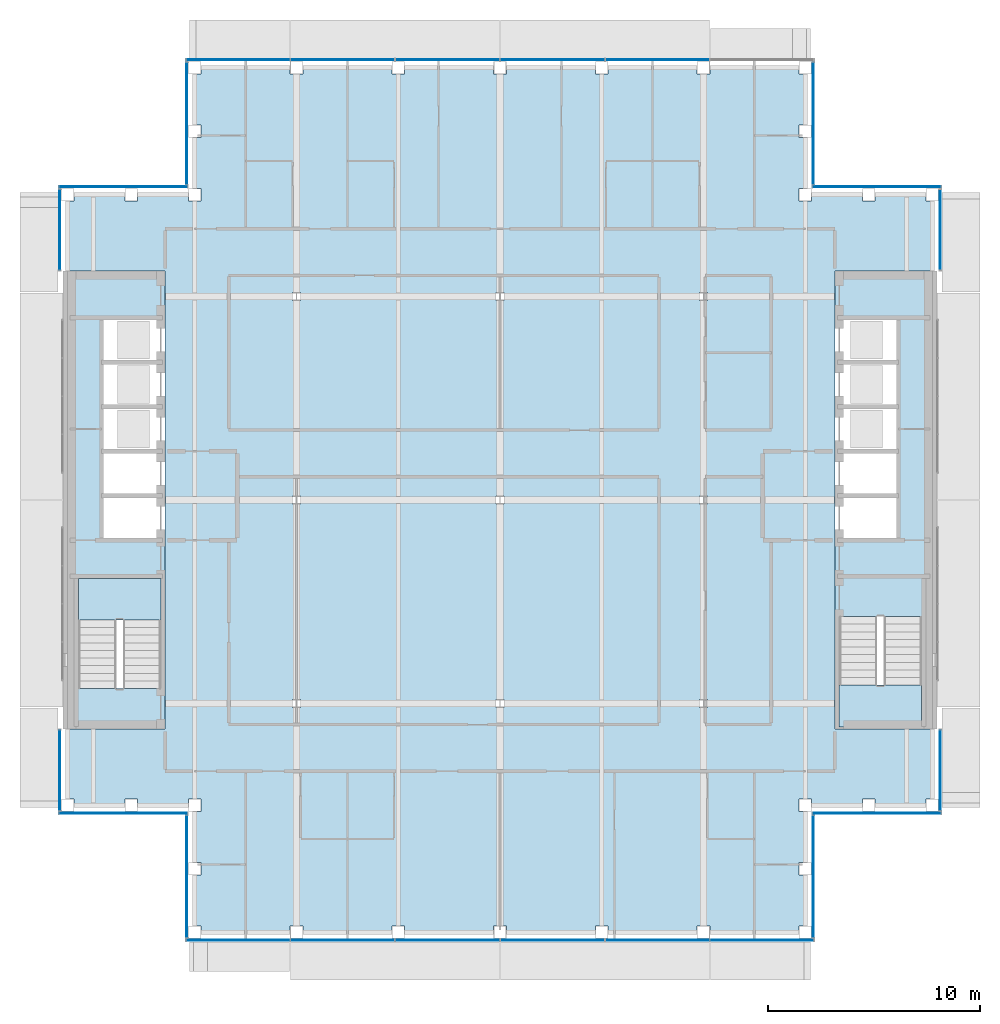
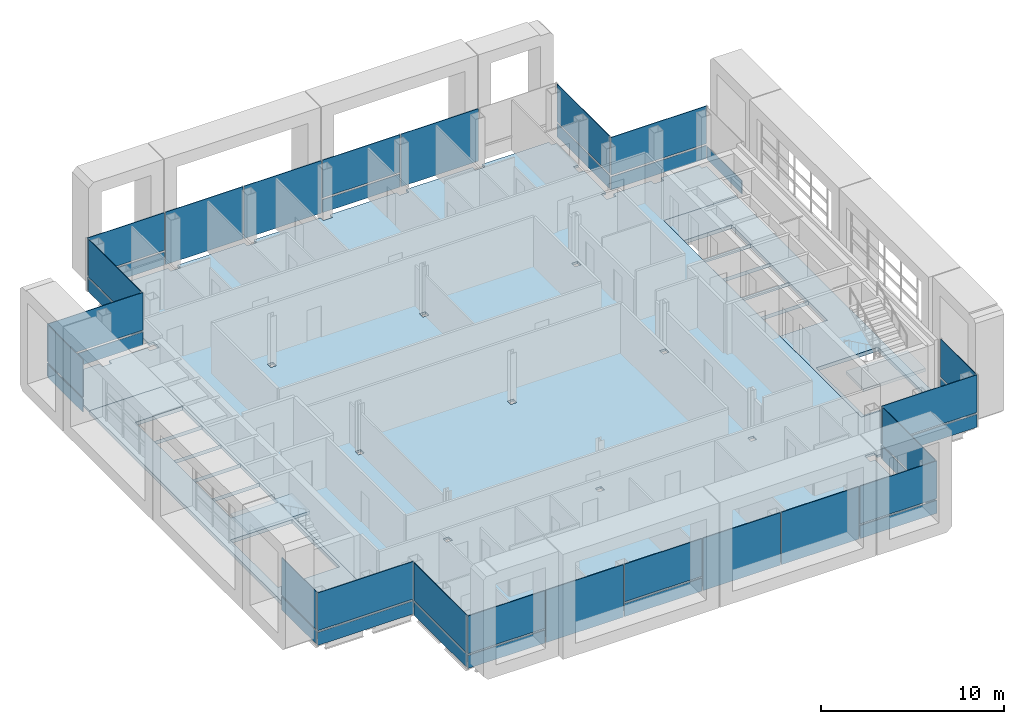
# One storey, part 8 of 21: 39 plates, 5 slabs, 16 elements without a shape of their own.
"""IFC4 building model written with IfcOpenShell, lengths in metres."""

from ifc_helpers import new_model, si_unit, direction, frame, origin, origin_2d, place, context, subcontext, project, spatial, polyline, rectangle, outline, extrude, material, layer, layer_set, type_object, element, aggregate, save


model = new_model("IFC4")

# Units and contexts
model_context = context("Model", 3, precision=1e-05, world=origin(), true_north=direction((0.0, 1.0)))
body_context = subcontext(model_context, "Body", "Model", "MODEL_VIEW")
ifc_project = project(units=[si_unit("LENGTHUNIT", "METRE"), si_unit("AREAUNIT", "SQUARE_METRE"), si_unit("VOLUMEUNIT", "CUBIC_METRE"), si_unit("PLANEANGLEUNIT", "RADIAN"), si_unit("MASSUNIT", "GRAM", prefix="KILO")], contexts=[model_context])

# Site, building, storey
site_placement = place(None, origin())
site = spatial("IfcSite", under=ifc_project, at=site_placement, CompositionType="ELEMENT")
building_placement = place(site_placement, origin())
building = spatial("IfcBuilding", under=site, at=building_placement, Name="Cobrizo Arcos Hotel Tower", CompositionType="ELEMENT")
storey_placement = place(building_placement, frame((0.0, 0.0, 248.0)))
storey = spatial("IfcBuildingStorey", under=building, at=storey_placement, Name="L65", CompositionType="ELEMENT", Elevation=248.0)

# Curtain wall, plates
ifc_material_1 = material(Name="Aluminium 6063-T6 anodised bronze", Category="aluminium")
curtain_wall_type = type_object("IfcCurtainWallType", Name="CW-A guest facade", PredefinedType="NOTDEFINED", material=ifc_material_1)
curtain_wall_1_placement = place(storey_placement, origin())
curtain_wall_1 = element("IfcCurtainWall", 1, at=curtain_wall_1_placement, inside=storey, type_object=curtain_wall_type, Name="CW-A L65 S face", PredefinedType="NOTDEFINED")
ifc_material_2 = material(Name="Glass clear laminated low-e", Category="glass")
ifc_layer_1 = layer(ifc_material_2, 0.0400390625)
ifc_layer_set_1 = layer_set([ifc_layer_1], Name="CW-A glass panel")
plate_type_1 = type_object("IfcPlateType", Name="CW-A glass panel", PredefinedType="CURTAIN_PANEL", material=ifc_layer_set_1)
plate_1_placement = place(storey_placement, frame((-12.360107421875, -20.77490234375, 0.990234375), z_axis=(0.0, 0.0, 1.0), x_axis=(1.0, 0.0, 0.0)))
plate_1 = element("IfcPlate", 2, at=plate_1_placement, type_object=plate_type_1, Name="CW-A glass panel 2060", PredefinedType="CURTAIN_PANEL", context=body_context, shape_type="SweptSolid", body=[
    extrude(rectangle(XDim=4.860107421875, YDim=0.0400390625, at=origin_2d()), origin(), (0.0, 0.0, 1.0), 2.510009765625),
])
plate_2_placement = place(storey_placement, frame((-2.47509765625, -20.77490234375, 0.990234375), z_axis=(0.0, 0.0, 1.0), x_axis=(1.0, 0.0, 0.0)))
plate_2 = element("IfcPlate", 3, at=plate_2_placement, type_object=plate_type_1, Name="CW-A glass panel 2062", PredefinedType="CURTAIN_PANEL", context=body_context, shape_type="SweptSolid", body=[
    extrude(rectangle(XDim=4.889892578125, YDim=0.0400390625, at=origin_2d()), origin(), (0.0, 0.0, 1.0), 2.510009765625),
])
plate_3_placement = place(storey_placement, frame((12.360107421875, -20.77490234375, 0.990234375), z_axis=(0.0, 0.0, 1.0), x_axis=(1.0, 0.0, 0.0)))
plate_3 = element("IfcPlate", 4, at=plate_3_placement, type_object=plate_type_1, Name="CW-A glass panel 2065", PredefinedType="CURTAIN_PANEL", context=body_context, shape_type="SweptSolid", body=[
    extrude(rectangle(XDim=4.860107421875, YDim=0.0400390625, at=origin_2d()), origin(), (0.0, 0.0, 1.0), 2.510009765625),
])

# Curtain wall, plate
curtain_wall_2_placement = place(storey_placement, origin())
curtain_wall_2 = element("IfcCurtainWall", 5, at=curtain_wall_2_placement, inside=storey, type_object=curtain_wall_type, Name="CW-A L65 E face", PredefinedType="NOTDEFINED")
plate_4_placement = place(storey_placement, frame((14.77490234375, -17.77490234375, 0.990234375), z_axis=(0.0, 0.0, 1.0), x_axis=(0.0, 1.0, 0.0)))
plate_4 = element("IfcPlate", 6, at=plate_4_placement, type_object=plate_type_1, Name="CW-A glass panel 2066", PredefinedType="CURTAIN_PANEL", context=body_context, shape_type="SweptSolid", body=[
    extrude(rectangle(XDim=5.72998046875, YDim=0.0400390625, at=origin_2d()), origin(), (0.0, 0.0, 1.0), 2.510009765625),
])

curtain_wall_3_placement = place(storey_placement, origin())
curtain_wall_3 = element("IfcCurtainWall", 7, at=curtain_wall_3_placement, inside=storey, type_object=curtain_wall_type, Name="CW-A L65 S face", PredefinedType="NOTDEFINED")
plate_5_placement = place(storey_placement, frame((17.77490234375, -14.77490234375, 0.990234375), z_axis=(0.0, 0.0, 1.0), x_axis=(1.0, 0.0, 0.0)))
plate_5 = element("IfcPlate", 8, at=plate_5_placement, type_object=plate_type_1, Name="CW-A glass panel 2067", PredefinedType="CURTAIN_PANEL", context=body_context, shape_type="SweptSolid", body=[
    extrude(rectangle(XDim=6.030029296875, YDim=0.0400390625, at=origin_2d()), origin(), (0.0, 0.0, 1.0), 2.510009765625),
])

curtain_wall_4_placement = place(storey_placement, origin())
curtain_wall_4 = element("IfcCurtainWall", 9, at=curtain_wall_4_placement, inside=storey, type_object=curtain_wall_type, Name="CW-A L65 E face", PredefinedType="NOTDEFINED")
plate_6_placement = place(storey_placement, frame((20.77490234375, -12.75, 0.990234375), z_axis=(0.0, 0.0, 1.0), x_axis=(0.0, 1.0, 0.0)))
plate_6 = element("IfcPlate", 10, at=plate_6_placement, type_object=plate_type_1, Name="CW-A glass panel 2068", PredefinedType="CURTAIN_PANEL", context=body_context, shape_type="SweptSolid", body=[
    extrude(rectangle(XDim=3.780029296875, YDim=0.0400390625, at=origin_2d()), origin(), (0.0, 0.0, 1.0), 2.510009765625),
])

curtain_wall_5_placement = place(storey_placement, origin())
curtain_wall_5 = element("IfcCurtainWall", 11, at=curtain_wall_5_placement, inside=storey, type_object=curtain_wall_type, Name="CW-A L65 N face", PredefinedType="NOTDEFINED")
plate_7_placement = place(storey_placement, frame((17.77490234375, 14.77490234375, 0.990234375), z_axis=(0.0, 0.0, 1.0), x_axis=(-1.0, 0.0, 0.0)))
plate_7 = element("IfcPlate", 12, at=plate_7_placement, type_object=plate_type_1, Name="CW-A glass panel 2070", PredefinedType="CURTAIN_PANEL", context=body_context, shape_type="SweptSolid", body=[
    extrude(rectangle(XDim=6.030029296875, YDim=0.0400390625, at=origin_2d()), origin(), (0.0, 0.0, 1.0), 2.510009765625),
])

curtain_wall_6_placement = place(storey_placement, origin())
curtain_wall_6 = element("IfcCurtainWall", 13, at=curtain_wall_6_placement, inside=storey, type_object=curtain_wall_type, Name="CW-A L65 E face", PredefinedType="NOTDEFINED")
plate_8_placement = place(storey_placement, frame((14.77490234375, 17.77490234375, 0.990234375), z_axis=(0.0, 0.0, 1.0), x_axis=(0.0, 1.0, 0.0)))
plate_8 = element("IfcPlate", 14, at=plate_8_placement, type_object=plate_type_1, Name="CW-A glass panel 2071", PredefinedType="CURTAIN_PANEL", context=body_context, shape_type="SweptSolid", body=[
    extrude(rectangle(XDim=5.72998046875, YDim=0.0400390625, at=origin_2d()), origin(), (0.0, 0.0, 1.0), 2.510009765625),
])

# Curtain wall, plates
curtain_wall_7_placement = place(storey_placement, origin())
curtain_wall_7 = element("IfcCurtainWall", 15, at=curtain_wall_7_placement, inside=storey, type_object=curtain_wall_type, Name="CW-A L65 N face", PredefinedType="NOTDEFINED")
plate_9_placement = place(storey_placement, frame((2.47509765625, 20.77490234375, 0.990234375), z_axis=(0.0, 0.0, 1.0), x_axis=(-1.0, 0.0, 0.0)))
plate_9 = element("IfcPlate", 16, at=plate_9_placement, type_object=plate_type_1, Name="CW-A glass panel 2074", PredefinedType="CURTAIN_PANEL", context=body_context, shape_type="SweptSolid", body=[
    extrude(rectangle(XDim=4.889892578125, YDim=0.0400390625, at=origin_2d()), origin(), (0.0, 0.0, 1.0), 2.510009765625),
])
plate_10_placement = place(storey_placement, frame((-12.360107421875, 20.77490234375, 0.990234375), z_axis=(0.0, 0.0, 1.0), x_axis=(-1.0, 0.0, 0.0)))
plate_10 = element("IfcPlate", 17, at=plate_10_placement, type_object=plate_type_1, Name="CW-A glass panel 2077", PredefinedType="CURTAIN_PANEL", context=body_context, shape_type="SweptSolid", body=[
    extrude(rectangle(XDim=4.860107421875, YDim=0.0400390625, at=origin_2d()), origin(), (0.0, 0.0, 1.0), 2.510009765625),
])

# Curtain wall, plate
curtain_wall_8_placement = place(storey_placement, origin())
curtain_wall_8 = element("IfcCurtainWall", 18, at=curtain_wall_8_placement, inside=storey, type_object=curtain_wall_type, Name="CW-A L65 W face", PredefinedType="NOTDEFINED")
plate_11_placement = place(storey_placement, frame((-14.77490234375, 17.77490234375, 0.990234375), z_axis=(0.0, 0.0, 1.0), x_axis=(0.0, -1.0, 0.0)))
plate_11 = element("IfcPlate", 19, at=plate_11_placement, type_object=plate_type_1, Name="CW-A glass panel 2078", PredefinedType="CURTAIN_PANEL", context=body_context, shape_type="SweptSolid", body=[
    extrude(rectangle(XDim=5.72998046875, YDim=0.0400390625, at=origin_2d()), origin(), (0.0, 0.0, 1.0), 2.510009765625),
])

curtain_wall_9_placement = place(storey_placement, origin())
curtain_wall_9 = element("IfcCurtainWall", 20, at=curtain_wall_9_placement, inside=storey, type_object=curtain_wall_type, Name="CW-A L65 N face", PredefinedType="NOTDEFINED")
plate_12_placement = place(storey_placement, frame((-17.77490234375, 14.77490234375, 0.990234375), z_axis=(0.0, 0.0, 1.0), x_axis=(-1.0, 0.0, 0.0)))
plate_12 = element("IfcPlate", 21, at=plate_12_placement, type_object=plate_type_1, Name="CW-A glass panel 2079", PredefinedType="CURTAIN_PANEL", context=body_context, shape_type="SweptSolid", body=[
    extrude(rectangle(XDim=6.030029296875, YDim=0.0400390625, at=origin_2d()), origin(), (0.0, 0.0, 1.0), 2.510009765625),
])

curtain_wall_10_placement = place(storey_placement, origin())
curtain_wall_10 = element("IfcCurtainWall", 22, at=curtain_wall_10_placement, inside=storey, type_object=curtain_wall_type, Name="CW-A L65 W face", PredefinedType="NOTDEFINED")
plate_13_placement = place(storey_placement, frame((-20.77490234375, 12.75, 0.990234375), z_axis=(0.0, 0.0, 1.0), x_axis=(0.0, -1.0, 0.0)))
plate_13 = element("IfcPlate", 23, at=plate_13_placement, type_object=plate_type_1, Name="CW-A glass panel 2080", PredefinedType="CURTAIN_PANEL", context=body_context, shape_type="SweptSolid", body=[
    extrude(rectangle(XDim=3.780029296875, YDim=0.0400390625, at=origin_2d()), origin(), (0.0, 0.0, 1.0), 2.510009765625),
])

curtain_wall_11_placement = place(storey_placement, origin())
curtain_wall_11 = element("IfcCurtainWall", 24, at=curtain_wall_11_placement, inside=storey, type_object=curtain_wall_type, Name="CW-A L65 W face", PredefinedType="NOTDEFINED")
plate_14_placement = place(storey_placement, frame((-20.77490234375, -12.75, 0.990234375), z_axis=(0.0, 0.0, 1.0), x_axis=(0.0, -1.0, 0.0)))
plate_14 = element("IfcPlate", 25, at=plate_14_placement, type_object=plate_type_1, Name="CW-A glass panel 2081", PredefinedType="CURTAIN_PANEL", context=body_context, shape_type="SweptSolid", body=[
    extrude(rectangle(XDim=3.780029296875, YDim=0.0400390625, at=origin_2d()), origin(), (0.0, 0.0, 1.0), 2.510009765625),
])

curtain_wall_12_placement = place(storey_placement, origin())
curtain_wall_12 = element("IfcCurtainWall", 26, at=curtain_wall_12_placement, inside=storey, type_object=curtain_wall_type, Name="CW-A L65 S face", PredefinedType="NOTDEFINED")
plate_15_placement = place(storey_placement, frame((-17.77490234375, -14.77490234375, 0.990234375), z_axis=(0.0, 0.0, 1.0), x_axis=(1.0, 0.0, 0.0)))
plate_15 = element("IfcPlate", 27, at=plate_15_placement, type_object=plate_type_1, Name="CW-A glass panel 2082", PredefinedType="CURTAIN_PANEL", context=body_context, shape_type="SweptSolid", body=[
    extrude(rectangle(XDim=6.030029296875, YDim=0.0400390625, at=origin_2d()), origin(), (0.0, 0.0, 1.0), 2.510009765625),
])

curtain_wall_13_placement = place(storey_placement, origin())
curtain_wall_13 = element("IfcCurtainWall", 28, at=curtain_wall_13_placement, inside=storey, type_object=curtain_wall_type, Name="CW-A L65 W face", PredefinedType="NOTDEFINED")
plate_16_placement = place(storey_placement, frame((-14.77490234375, -17.77490234375, 0.990234375), z_axis=(0.0, 0.0, 1.0), x_axis=(0.0, -1.0, 0.0)))
plate_16 = element("IfcPlate", 29, at=plate_16_placement, type_object=plate_type_1, Name="CW-A glass panel 2083", PredefinedType="CURTAIN_PANEL", context=body_context, shape_type="SweptSolid", body=[
    extrude(rectangle(XDim=5.72998046875, YDim=0.0400390625, at=origin_2d()), origin(), (0.0, 0.0, 1.0), 2.510009765625),
])

# Plate
ifc_material_3 = material(Name="Aluminium composite panel pale metal", Category="aluminium")
ifc_layer_2 = layer(ifc_material_3, 0.0400390625)
ifc_layer_set_2 = layer_set([ifc_layer_2], Name="CW-A spandrel panel")
plate_type_2 = type_object("IfcPlateType", Name="CW-A spandrel panel", PredefinedType="CURTAIN_PANEL", material=ifc_layer_set_2)
plate_17_placement = place(storey_placement, frame((-12.360107421875, -20.77490234375, 0.0), z_axis=(0.0, 0.0, 1.0), x_axis=(1.0, 0.0, 0.0)))
plate_17 = element("IfcPlate", 30, at=plate_17_placement, type_object=plate_type_2, Name="CW-A spandrel panel 2060", PredefinedType="CURTAIN_PANEL", context=body_context, shape_type="SweptSolid", body=[
    extrude(rectangle(XDim=4.860107421875, YDim=0.0400390625, at=origin_2d()), origin(), (0.0, 0.0, 1.0), 0.8701171875),
])

plate_18_placement = place(storey_placement, frame((-7.425048828125, -20.77490234375, 0.0), z_axis=(0.0, 0.0, 1.0), x_axis=(1.0, 0.0, 0.0)))
plate_18 = element("IfcPlate", 31, at=plate_18_placement, type_object=plate_type_2, Name="CW-A spandrel panel 2061", PredefinedType="CURTAIN_PANEL", context=body_context, shape_type="SweptSolid", body=[
    extrude(rectangle(XDim=4.889892578125, YDim=0.0400390625, at=origin_2d()), origin(), (0.0, 0.0, 1.0), 3.5),
])

plate_19_placement = place(storey_placement, frame((-2.47509765625, -20.77490234375, 0.0), z_axis=(0.0, 0.0, 1.0), x_axis=(1.0, 0.0, 0.0)))
plate_19 = element("IfcPlate", 32, at=plate_19_placement, type_object=plate_type_2, Name="CW-A spandrel panel 2062", PredefinedType="CURTAIN_PANEL", context=body_context, shape_type="SweptSolid", body=[
    extrude(rectangle(XDim=4.889892578125, YDim=0.0400390625, at=origin_2d()), origin(), (0.0, 0.0, 1.0), 0.8701171875),
])

plate_20_placement = place(storey_placement, frame((2.47509765625, -20.77490234375, 0.0), z_axis=(0.0, 0.0, 1.0), x_axis=(1.0, 0.0, 0.0)))
plate_20 = element("IfcPlate", 33, at=plate_20_placement, type_object=plate_type_2, Name="CW-A spandrel panel 2063", PredefinedType="CURTAIN_PANEL", context=body_context, shape_type="SweptSolid", body=[
    extrude(rectangle(XDim=4.889892578125, YDim=0.0400390625, at=origin_2d()), origin(), (0.0, 0.0, 1.0), 3.5),
])

plate_21_placement = place(storey_placement, frame((7.425048828125, -20.77490234375, 0.0), z_axis=(0.0, 0.0, 1.0), x_axis=(1.0, 0.0, 0.0)))
plate_21 = element("IfcPlate", 34, at=plate_21_placement, type_object=plate_type_2, Name="CW-A spandrel panel 2064", PredefinedType="CURTAIN_PANEL", context=body_context, shape_type="SweptSolid", body=[
    extrude(rectangle(XDim=4.889892578125, YDim=0.0400390625, at=origin_2d()), origin(), (0.0, 0.0, 1.0), 3.5),
])

plate_22_placement = place(storey_placement, frame((12.360107421875, -20.77490234375, 0.0), z_axis=(0.0, 0.0, 1.0), x_axis=(1.0, 0.0, 0.0)))
plate_22 = element("IfcPlate", 35, at=plate_22_placement, type_object=plate_type_2, Name="CW-A spandrel panel 2065", PredefinedType="CURTAIN_PANEL", context=body_context, shape_type="SweptSolid", body=[
    extrude(rectangle(XDim=4.860107421875, YDim=0.0400390625, at=origin_2d()), origin(), (0.0, 0.0, 1.0), 0.8701171875),
])

aggregate(curtain_wall_1, [plate_17, plate_1, plate_18, plate_19, plate_2, plate_20, plate_21, plate_22, plate_3])

plate_23_placement = place(storey_placement, frame((14.77490234375, -17.77490234375, 0.0), z_axis=(0.0, 0.0, 1.0), x_axis=(0.0, 1.0, 0.0)))
plate_23 = element("IfcPlate", 36, at=plate_23_placement, type_object=plate_type_2, Name="CW-A spandrel panel 2066", PredefinedType="CURTAIN_PANEL", context=body_context, shape_type="SweptSolid", body=[
    extrude(rectangle(XDim=5.72998046875, YDim=0.0400390625, at=origin_2d()), origin(), (0.0, 0.0, 1.0), 0.8701171875),
])

aggregate(curtain_wall_2, [plate_23, plate_4])

plate_24_placement = place(storey_placement, frame((17.77490234375, -14.77490234375, 0.0), z_axis=(0.0, 0.0, 1.0), x_axis=(1.0, 0.0, 0.0)))
plate_24 = element("IfcPlate", 37, at=plate_24_placement, type_object=plate_type_2, Name="CW-A spandrel panel 2067", PredefinedType="CURTAIN_PANEL", context=body_context, shape_type="SweptSolid", body=[
    extrude(rectangle(XDim=6.030029296875, YDim=0.0400390625, at=origin_2d()), origin(), (0.0, 0.0, 1.0), 0.8701171875),
])

aggregate(curtain_wall_3, [plate_24, plate_5])

plate_25_placement = place(storey_placement, frame((20.77490234375, -12.75, 0.0), z_axis=(0.0, 0.0, 1.0), x_axis=(0.0, 1.0, 0.0)))
plate_25 = element("IfcPlate", 38, at=plate_25_placement, type_object=plate_type_2, Name="CW-A spandrel panel 2068", PredefinedType="CURTAIN_PANEL", context=body_context, shape_type="SweptSolid", body=[
    extrude(rectangle(XDim=3.780029296875, YDim=0.0400390625, at=origin_2d()), origin(), (0.0, 0.0, 1.0), 0.8701171875),
])

aggregate(curtain_wall_4, [plate_25, plate_6])

# Curtain wall, plate
curtain_wall_14_placement = place(storey_placement, origin())
curtain_wall_14 = element("IfcCurtainWall", 39, at=curtain_wall_14_placement, inside=storey, type_object=curtain_wall_type, Name="CW-A L65 E face", PredefinedType="NOTDEFINED")
plate_26_placement = place(storey_placement, frame((20.77490234375, 12.75, 0.0), z_axis=(0.0, 0.0, 1.0), x_axis=(0.0, 1.0, 0.0)))
plate_26 = element("IfcPlate", 40, at=plate_26_placement, type_object=plate_type_2, Name="CW-A spandrel panel 2069", PredefinedType="CURTAIN_PANEL", context=body_context, shape_type="SweptSolid", body=[
    extrude(rectangle(XDim=3.780029296875, YDim=0.0400390625, at=origin_2d()), origin(), (0.0, 0.0, 1.0), 0.8701171875),
])
aggregate(curtain_wall_14, [plate_26])

# Plate
plate_27_placement = place(storey_placement, frame((17.77490234375, 14.77490234375, 0.0), z_axis=(0.0, 0.0, 1.0), x_axis=(-1.0, 0.0, 0.0)))
plate_27 = element("IfcPlate", 41, at=plate_27_placement, type_object=plate_type_2, Name="CW-A spandrel panel 2070", PredefinedType="CURTAIN_PANEL", context=body_context, shape_type="SweptSolid", body=[
    extrude(rectangle(XDim=6.030029296875, YDim=0.0400390625, at=origin_2d()), origin(), (0.0, 0.0, 1.0), 0.8701171875),
])

aggregate(curtain_wall_5, [plate_27, plate_7])

plate_28_placement = place(storey_placement, frame((14.77490234375, 17.77490234375, 0.0), z_axis=(0.0, 0.0, 1.0), x_axis=(0.0, 1.0, 0.0)))
plate_28 = element("IfcPlate", 42, at=plate_28_placement, type_object=plate_type_2, Name="CW-A spandrel panel 2071", PredefinedType="CURTAIN_PANEL", context=body_context, shape_type="SweptSolid", body=[
    extrude(rectangle(XDim=5.72998046875, YDim=0.0400390625, at=origin_2d()), origin(), (0.0, 0.0, 1.0), 0.8701171875),
])

aggregate(curtain_wall_6, [plate_28, plate_8])

plate_29_placement = place(storey_placement, frame((7.425048828125, 20.77490234375, 0.0), z_axis=(0.0, 0.0, 1.0), x_axis=(-1.0, 0.0, 0.0)))
plate_29 = element("IfcPlate", 43, at=plate_29_placement, type_object=plate_type_2, Name="CW-A spandrel panel 2073", PredefinedType="CURTAIN_PANEL", context=body_context, shape_type="SweptSolid", body=[
    extrude(rectangle(XDim=4.889892578125, YDim=0.0400390625, at=origin_2d()), origin(), (0.0, 0.0, 1.0), 3.5),
])

plate_30_placement = place(storey_placement, frame((2.47509765625, 20.77490234375, 0.0), z_axis=(0.0, 0.0, 1.0), x_axis=(-1.0, 0.0, 0.0)))
plate_30 = element("IfcPlate", 44, at=plate_30_placement, type_object=plate_type_2, Name="CW-A spandrel panel 2074", PredefinedType="CURTAIN_PANEL", context=body_context, shape_type="SweptSolid", body=[
    extrude(rectangle(XDim=4.889892578125, YDim=0.0400390625, at=origin_2d()), origin(), (0.0, 0.0, 1.0), 0.8701171875),
])

plate_31_placement = place(storey_placement, frame((-2.47509765625, 20.77490234375, 0.0), z_axis=(0.0, 0.0, 1.0), x_axis=(-1.0, 0.0, 0.0)))
plate_31 = element("IfcPlate", 45, at=plate_31_placement, type_object=plate_type_2, Name="CW-A spandrel panel 2075", PredefinedType="CURTAIN_PANEL", context=body_context, shape_type="SweptSolid", body=[
    extrude(rectangle(XDim=4.889892578125, YDim=0.0400390625, at=origin_2d()), origin(), (0.0, 0.0, 1.0), 3.5),
])

plate_32_placement = place(storey_placement, frame((-7.425048828125, 20.77490234375, 0.0), z_axis=(0.0, 0.0, 1.0), x_axis=(-1.0, 0.0, 0.0)))
plate_32 = element("IfcPlate", 46, at=plate_32_placement, type_object=plate_type_2, Name="CW-A spandrel panel 2076", PredefinedType="CURTAIN_PANEL", context=body_context, shape_type="SweptSolid", body=[
    extrude(rectangle(XDim=4.889892578125, YDim=0.0400390625, at=origin_2d()), origin(), (0.0, 0.0, 1.0), 3.5),
])

plate_33_placement = place(storey_placement, frame((-12.360107421875, 20.77490234375, 0.0), z_axis=(0.0, 0.0, 1.0), x_axis=(-1.0, 0.0, 0.0)))
plate_33 = element("IfcPlate", 47, at=plate_33_placement, type_object=plate_type_2, Name="CW-A spandrel panel 2077", PredefinedType="CURTAIN_PANEL", context=body_context, shape_type="SweptSolid", body=[
    extrude(rectangle(XDim=4.860107421875, YDim=0.0400390625, at=origin_2d()), origin(), (0.0, 0.0, 1.0), 0.8701171875),
])

aggregate(curtain_wall_7, [plate_29, plate_30, plate_9, plate_31, plate_32, plate_33, plate_10])

plate_34_placement = place(storey_placement, frame((-14.77490234375, 17.77490234375, 0.0), z_axis=(0.0, 0.0, 1.0), x_axis=(0.0, -1.0, 0.0)))
plate_34 = element("IfcPlate", 48, at=plate_34_placement, type_object=plate_type_2, Name="CW-A spandrel panel 2078", PredefinedType="CURTAIN_PANEL", context=body_context, shape_type="SweptSolid", body=[
    extrude(rectangle(XDim=5.72998046875, YDim=0.0400390625, at=origin_2d()), origin(), (0.0, 0.0, 1.0), 0.8701171875),
])

aggregate(curtain_wall_8, [plate_34, plate_11])

plate_35_placement = place(storey_placement, frame((-17.77490234375, 14.77490234375, 0.0), z_axis=(0.0, 0.0, 1.0), x_axis=(-1.0, 0.0, 0.0)))
plate_35 = element("IfcPlate", 49, at=plate_35_placement, type_object=plate_type_2, Name="CW-A spandrel panel 2079", PredefinedType="CURTAIN_PANEL", context=body_context, shape_type="SweptSolid", body=[
    extrude(rectangle(XDim=6.030029296875, YDim=0.0400390625, at=origin_2d()), origin(), (0.0, 0.0, 1.0), 0.8701171875),
])

aggregate(curtain_wall_9, [plate_35, plate_12])

plate_36_placement = place(storey_placement, frame((-20.77490234375, 12.75, 0.0), z_axis=(0.0, 0.0, 1.0), x_axis=(0.0, -1.0, 0.0)))
plate_36 = element("IfcPlate", 50, at=plate_36_placement, type_object=plate_type_2, Name="CW-A spandrel panel 2080", PredefinedType="CURTAIN_PANEL", context=body_context, shape_type="SweptSolid", body=[
    extrude(rectangle(XDim=3.780029296875, YDim=0.0400390625, at=origin_2d()), origin(), (0.0, 0.0, 1.0), 0.8701171875),
])

aggregate(curtain_wall_10, [plate_36, plate_13])

plate_37_placement = place(storey_placement, frame((-20.77490234375, -12.75, 0.0), z_axis=(0.0, 0.0, 1.0), x_axis=(0.0, -1.0, 0.0)))
plate_37 = element("IfcPlate", 51, at=plate_37_placement, type_object=plate_type_2, Name="CW-A spandrel panel 2081", PredefinedType="CURTAIN_PANEL", context=body_context, shape_type="SweptSolid", body=[
    extrude(rectangle(XDim=3.780029296875, YDim=0.0400390625, at=origin_2d()), origin(), (0.0, 0.0, 1.0), 0.8701171875),
])

aggregate(curtain_wall_11, [plate_37, plate_14])

plate_38_placement = place(storey_placement, frame((-17.77490234375, -14.77490234375, 0.0), z_axis=(0.0, 0.0, 1.0), x_axis=(1.0, 0.0, 0.0)))
plate_38 = element("IfcPlate", 52, at=plate_38_placement, type_object=plate_type_2, Name="CW-A spandrel panel 2082", PredefinedType="CURTAIN_PANEL", context=body_context, shape_type="SweptSolid", body=[
    extrude(rectangle(XDim=6.030029296875, YDim=0.0400390625, at=origin_2d()), origin(), (0.0, 0.0, 1.0), 0.8701171875),
])

aggregate(curtain_wall_12, [plate_38, plate_15])

plate_39_placement = place(storey_placement, frame((-14.77490234375, -17.77490234375, 0.0), z_axis=(0.0, 0.0, 1.0), x_axis=(0.0, -1.0, 0.0)))
plate_39 = element("IfcPlate", 53, at=plate_39_placement, type_object=plate_type_2, Name="CW-A spandrel panel 2083", PredefinedType="CURTAIN_PANEL", context=body_context, shape_type="SweptSolid", body=[
    extrude(rectangle(XDim=5.72998046875, YDim=0.0400390625, at=origin_2d()), origin(), (0.0, 0.0, 1.0), 0.8701171875),
])

aggregate(curtain_wall_13, [plate_39, plate_16])

# Slabs
ifc_material_4 = material(Name="Concrete f'c 35 MPa", Category="concrete")
ifc_layer_3 = layer(ifc_material_4, 0.14990234375)
ifc_layer_set_3 = layer_set([ifc_layer_3], Name="Composite floor slab 150 f'c 35")
slab_type_1 = type_object("IfcSlabType", Name="Composite floor slab 150 f'c 35", PredefinedType="FLOOR", material=ifc_layer_set_3)
slab_1_placement = place(storey_placement, frame((0.0, 0.0, -0.14990234375)))
element("IfcSlab", 54, at=slab_1_placement, inside=storey, type_object=slab_type_1, Name="Floor slab S5, L65, no. 01", PredefinedType="FLOOR", context=body_context, shape_type="SweptSolid", body=[
    extrude(outline(polyline([(-14.10009765625, -20.39990234375), (-14.10009765625, -20.10009765625), (-14.39990234375, -20.10009765625), (-14.39990234375, -17.699951171875), (-14.10009765625, -17.699951171875), (-14.10009765625, -17.10009765625), (-14.39990234375, -17.10009765625), (-14.39990234375, -14.699951171875), (-14.10009765625, -14.699951171875), (-14.10009765625, -14.10009765625), (-14.699951171875, -14.10009765625), (-14.699951171875, -14.39990234375), (-17.10009765625, -14.39990234375), (-17.10009765625, -14.10009765625), (-17.699951171875, -14.10009765625), (-17.699951171875, -14.39990234375), (-20.10009765625, -14.39990234375), (-20.10009765625, -14.10009765625), (-20.39990234375, -14.10009765625), (-20.39990234375, -10.800048828125), (-15.800048828125, -10.800048828125), (-15.800048828125, 10.800048828125), (-20.39990234375, 10.800048828125), (-20.39990234375, 14.10009765625), (-20.10009765625, 14.10009765625), (-20.10009765625, 14.39990234375), (-17.699951171875, 14.39990234375), (-17.699951171875, 14.10009765625), (-17.10009765625, 14.10009765625), (-17.10009765625, 14.39990234375), (-14.699951171875, 14.39990234375), (-14.699951171875, 14.10009765625), (-14.10009765625, 14.10009765625), (-14.10009765625, 14.699951171875), (-14.39990234375, 14.699951171875), (-14.39990234375, 17.10009765625), (-14.10009765625, 17.10009765625), (-14.10009765625, 17.699951171875), (-14.39990234375, 17.699951171875), (-14.39990234375, 20.10009765625), (-14.10009765625, 20.10009765625), (-14.10009765625, 20.39990234375), (-9.89990234375, 20.39990234375), (-9.89990234375, 20.10009765625), (-9.300048828125, 20.10009765625), (-9.300048828125, 20.39990234375), (-5.10009765625, 20.39990234375), (-5.10009765625, 20.10009765625), (-4.5, 20.10009765625), (-4.5, 20.39990234375), (-0.300048828125, 20.39990234375), (-0.300048828125, 20.10009765625), (0.300048828125, 20.10009765625), (0.300048828125, 20.39990234375), (4.5, 20.39990234375), (4.5, 20.10009765625), (5.10009765625, 20.10009765625), (5.10009765625, 20.39990234375), (9.300048828125, 20.39990234375), (9.300048828125, 20.10009765625), (9.89990234375, 20.10009765625), (9.89990234375, 20.39990234375), (14.10009765625, 20.39990234375), (14.10009765625, 20.10009765625), (14.39990234375, 20.10009765625), (14.39990234375, 17.699951171875), (14.10009765625, 17.699951171875), (14.10009765625, 17.10009765625), (14.39990234375, 17.10009765625), (14.39990234375, 14.699951171875), (14.10009765625, 14.699951171875), (14.10009765625, 14.10009765625), (14.699951171875, 14.10009765625), (14.699951171875, 14.39990234375), (17.10009765625, 14.39990234375), (17.10009765625, 14.10009765625), (17.699951171875, 14.10009765625), (17.699951171875, 14.39990234375), (20.10009765625, 14.39990234375), (20.10009765625, 14.10009765625), (20.39990234375, 14.10009765625), (20.39990234375, 10.800048828125), (15.800048828125, 10.800048828125), (15.800048828125, -10.800048828125), (20.39990234375, -10.800048828125), (20.39990234375, -14.10009765625), (20.10009765625, -14.10009765625), (20.10009765625, -14.39990234375), (17.699951171875, -14.39990234375), (17.699951171875, -14.10009765625), (17.10009765625, -14.10009765625), (17.10009765625, -14.39990234375), (14.699951171875, -14.39990234375), (14.699951171875, -14.10009765625), (14.10009765625, -14.10009765625), (14.10009765625, -14.699951171875), (14.39990234375, -14.699951171875), (14.39990234375, -17.10009765625), (14.10009765625, -17.10009765625), (14.10009765625, -17.699951171875), (14.39990234375, -17.699951171875), (14.39990234375, -20.10009765625), (14.10009765625, -20.10009765625), (14.10009765625, -20.39990234375), (9.89990234375, -20.39990234375), (9.89990234375, -20.10009765625), (9.300048828125, -20.10009765625), (9.300048828125, -20.39990234375), (5.10009765625, -20.39990234375), (5.10009765625, -20.10009765625), (4.5, -20.10009765625), (4.5, -20.39990234375), (0.300048828125, -20.39990234375), (0.300048828125, -20.10009765625), (-0.300048828125, -20.10009765625), (-0.300048828125, -20.39990234375), (-4.5, -20.39990234375), (-4.5, -20.10009765625), (-5.10009765625, -20.10009765625), (-5.10009765625, -20.39990234375), (-9.300048828125, -20.39990234375), (-9.300048828125, -20.10009765625), (-9.89990234375, -20.10009765625), (-9.89990234375, -20.39990234375), (-14.10009765625, -20.39990234375)]), holes=[polyline([(-9.415771484375, -9.7841796875), (-9.415771484375, -9.415771484375), (-9.7841796875, -9.415771484375), (-9.7841796875, -9.7841796875), (-9.415771484375, -9.7841796875)]), polyline([(-9.415771484375, -0.18408203125), (-9.415771484375, 0.18408203125), (-9.7841796875, 0.18408203125), (-9.7841796875, -0.18408203125), (-9.415771484375, -0.18408203125)]), polyline([(-9.7841796875, 9.415771484375), (-9.415771484375, 9.415771484375), (-9.415771484375, 9.7841796875), (-9.7841796875, 9.7841796875), (-9.7841796875, 9.415771484375)]), polyline([(-0.18408203125, -9.7841796875), (0.18408203125, -9.7841796875), (0.18408203125, -9.415771484375), (-0.18408203125, -9.415771484375), (-0.18408203125, -9.7841796875)]), polyline([(9.415771484375, -9.7841796875), (9.7841796875, -9.7841796875), (9.7841796875, -9.415771484375), (9.415771484375, -9.415771484375), (9.415771484375, -9.7841796875)]), polyline([(0.18408203125, -0.18408203125), (0.18408203125, 0.18408203125), (-0.18408203125, 0.18408203125), (-0.18408203125, -0.18408203125), (0.18408203125, -0.18408203125)]), polyline([(9.7841796875, -0.18408203125), (9.7841796875, 0.18408203125), (9.415771484375, 0.18408203125), (9.415771484375, -0.18408203125), (9.7841796875, -0.18408203125)]), polyline([(0.18408203125, 9.415771484375), (0.18408203125, 9.7841796875), (-0.18408203125, 9.7841796875), (-0.18408203125, 9.415771484375), (0.18408203125, 9.415771484375)]), polyline([(9.415771484375, 9.415771484375), (9.7841796875, 9.415771484375), (9.7841796875, 9.7841796875), (9.415771484375, 9.7841796875), (9.415771484375, 9.415771484375)])]), origin(), (0.0, 0.0, 1.0), 0.14990234375),
])
ifc_material_5 = material(Name="Concrete f'c 40 MPa", Category="concrete")
ifc_layer_4 = layer(ifc_material_5, 0.25)
ifc_layer_set_4 = layer_set([ifc_layer_4], Name="RC core floor slab 250 f'c 40")
slab_type_2 = type_object("IfcSlabType", Name="RC core floor slab 250 f'c 40", PredefinedType="FLOOR", material=ifc_layer_set_4)
slab_2_placement = place(storey_placement, frame((0.0, 0.0, -0.25)))
element("IfcSlab", 55, at=slab_2_placement, inside=storey, type_object=slab_type_2, Name="Core floor slab CS7, east core, L65", PredefinedType="FLOOR", context=body_context, shape_type="SweptSolid", body=[
    extrude(outline(polyline([(15.800048828125, 10.800048828125), (20.39990234375, 10.800048828125), (20.39990234375, -10.800048828125), (15.800048828125, -10.800048828125), (15.800048828125, 10.800048828125)]), holes=[polyline([(19.89794921875, -10.697998046875), (19.89794921875, -5.501953125), (16.001953125, -5.501953125), (16.001953125, -10.697998046875), (19.89794921875, -10.697998046875)]), polyline([(15.802001953125, 0.197998046875), (15.802001953125, -1.89794921875), (18.798095703125, -1.89794921875), (18.798095703125, 0.197998046875), (15.802001953125, 0.197998046875)]), polyline([(15.802001953125, 2.298095703125), (15.802001953125, 0.201904296875), (18.798095703125, 0.201904296875), (18.798095703125, 2.298095703125), (15.802001953125, 2.298095703125)]), polyline([(15.802001953125, 4.39794921875), (15.802001953125, 2.302001953125), (18.798095703125, 2.302001953125), (18.798095703125, 4.39794921875), (15.802001953125, 4.39794921875)]), polyline([(18.798095703125, 6.498046875), (15.802001953125, 6.498046875), (15.802001953125, 4.402099609375), (18.798095703125, 4.402099609375), (18.798095703125, 6.498046875)]), polyline([(18.798095703125, 8.597900390625), (15.802001953125, 8.597900390625), (15.802001953125, 6.501953125), (18.798095703125, 6.501953125), (18.798095703125, 8.597900390625)])]), origin(), (0.0, 0.0, 1.0), 0.25),
])
slab_3_placement = place(storey_placement, frame((0.0, 0.0, -0.25)))
element("IfcSlab", 56, at=slab_3_placement, inside=storey, type_object=slab_type_2, Name="Core floor slab CS7, west core, L65", PredefinedType="FLOOR", context=body_context, shape_type="SweptSolid", body=[
    extrude(outline(polyline([(-20.39990234375, 10.800048828125), (-15.800048828125, 10.800048828125), (-15.800048828125, -10.800048828125), (-20.39990234375, -10.800048828125), (-20.39990234375, 10.800048828125)]), holes=[polyline([(-19.89794921875, -3.701904296875), (-19.89794921875, -8.89794921875), (-16.001953125, -8.89794921875), (-16.001953125, -3.701904296875), (-19.89794921875, -3.701904296875)]), polyline([(-18.798095703125, 0.197998046875), (-18.798095703125, -1.89794921875), (-15.802001953125, -1.89794921875), (-15.802001953125, 0.197998046875), (-18.798095703125, 0.197998046875)]), polyline([(-18.798095703125, 2.298095703125), (-18.798095703125, 0.201904296875), (-15.802001953125, 0.201904296875), (-15.802001953125, 2.298095703125), (-18.798095703125, 2.298095703125)]), polyline([(-18.798095703125, 4.39794921875), (-18.798095703125, 2.302001953125), (-15.802001953125, 2.302001953125), (-15.802001953125, 4.39794921875), (-18.798095703125, 4.39794921875)]), polyline([(-15.802001953125, 6.498046875), (-18.798095703125, 6.498046875), (-18.798095703125, 4.402099609375), (-15.802001953125, 4.402099609375), (-15.802001953125, 6.498046875)]), polyline([(-15.802001953125, 8.597900390625), (-18.798095703125, 8.597900390625), (-18.798095703125, 6.501953125), (-15.802001953125, 6.501953125), (-15.802001953125, 8.597900390625)])]), origin(), (0.0, 0.0, 1.0), 0.25),
])

# Stair, slab
stair_type = type_object("IfcStairType", Name="Exit stair", PredefinedType="HALF_TURN_STAIR", material=ifc_material_5)
stair_1_placement = place(storey_placement, origin())
stair_1 = element("IfcStair", 57, at=stair_1_placement, inside=storey, type_object=stair_type, Name="L65 Exit stair ST-W", PredefinedType="HALF_TURN_STAIR")
ifc_layer_5 = layer(ifc_material_5, 0.199951171875)
ifc_layer_set_5 = layer_set([ifc_layer_5], Name="Stair landing")
slab_type_3 = type_object("IfcSlabType", Name="Stair landing", PredefinedType="LANDING", material=ifc_layer_set_5)
slab_4_placement = place(storey_placement, frame((0.0, 0.0, 1.550048828125)))
slab_4 = element("IfcSlab", 58, at=slab_4_placement, type_object=slab_type_3, Name="ST-W landing 1", PredefinedType="LANDING", context=body_context, shape_type="SweptSolid", body=[
    extrude(outline(polyline([(-16.0, -5.659912109375), (-16.0, -3.699951171875), (-19.89990234375, -3.699951171875), (-19.89990234375, -5.659912109375), (-16.0, -5.659912109375)])), origin(), (0.0, 0.0, 1.0), 0.199951171875),
])
aggregate(stair_1, [slab_4])

stair_2_placement = place(storey_placement, origin())
stair_2 = element("IfcStair", 59, at=stair_2_placement, inside=storey, type_object=stair_type, Name="L65 Exit stair ST-E", PredefinedType="HALF_TURN_STAIR")
slab_5_placement = place(storey_placement, frame((0.0, 0.0, 1.550048828125)))
slab_5 = element("IfcSlab", 60, at=slab_5_placement, type_object=slab_type_3, Name="ST-E landing 1", PredefinedType="LANDING", context=body_context, shape_type="SweptSolid", body=[
    extrude(outline(polyline([(16.0, -8.739990234375), (16.0, -10.699951171875), (19.89990234375, -10.699951171875), (19.89990234375, -8.739990234375), (16.0, -8.739990234375)])), origin(), (0.0, 0.0, 1.0), 0.199951171875),
])
aggregate(stair_2, [slab_5])

save(model, "model.ifc")
